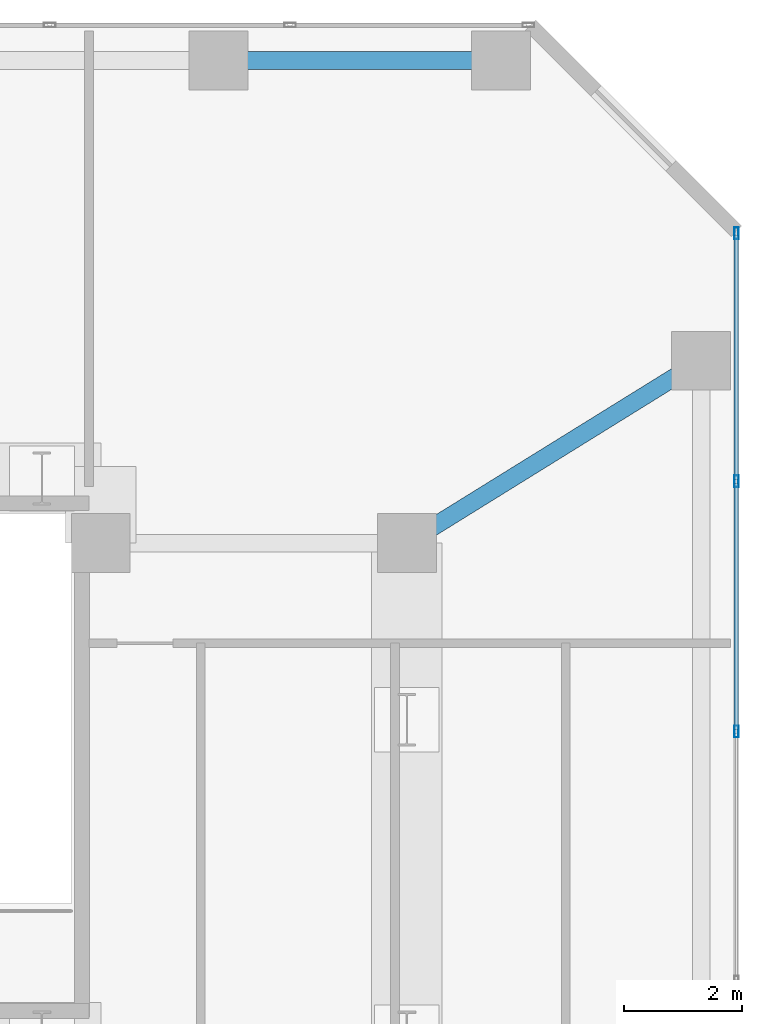
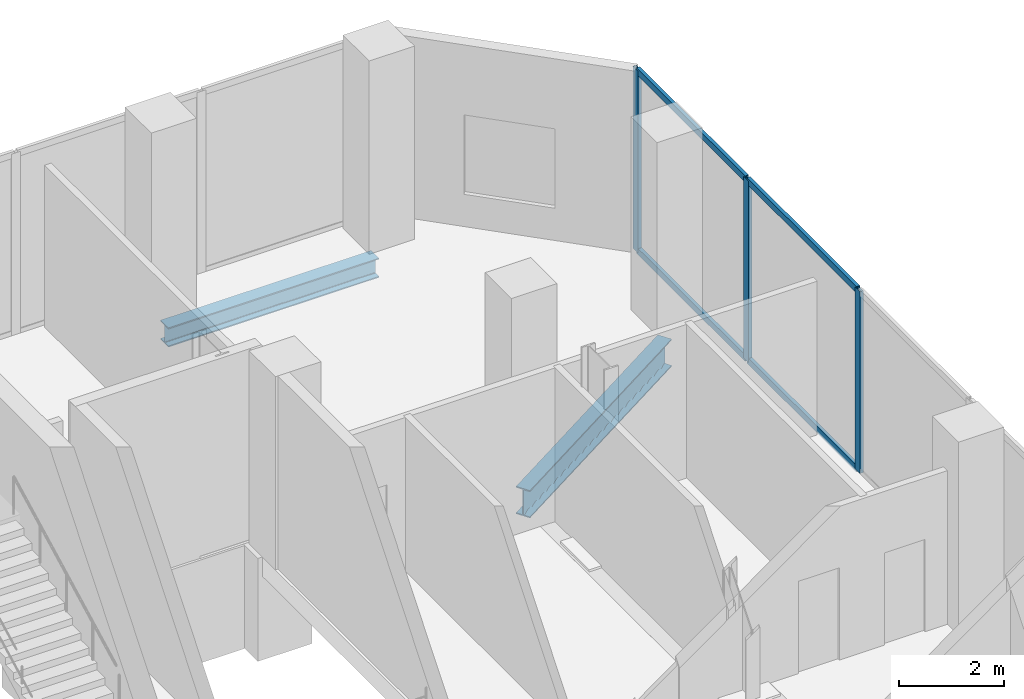
# One storey, part 18 of 24: 7 members, 2 beams, 1 element without a shape of its own.
"""IFC4 building model written with IfcOpenShell, lengths in metres."""

from ifc_helpers import new_model, si_unit, direction, frame, origin, origin_2d, place, context, subcontext, project, spatial, hollow_rectangle, i_section, extrude, material, layer, layer_set, material_profile, profile_set, type_object, element, aggregate, save


model = new_model("IFC4")

# Units and contexts
model_context = context("Model", 3, precision=1e-05, world=origin(), true_north=direction((0.0, 1.0)))
body_context = subcontext(model_context, "Body", "Model", "MODEL_VIEW")
ifc_project = project(units=[si_unit("LENGTHUNIT", "METRE"), si_unit("AREAUNIT", "SQUARE_METRE"), si_unit("VOLUMEUNIT", "CUBIC_METRE"), si_unit("PLANEANGLEUNIT", "RADIAN"), si_unit("MASSUNIT", "GRAM", prefix="KILO")], contexts=[model_context])

# Site, building, storey
site_placement = place(None, origin())
site = spatial("IfcSite", under=ifc_project, at=site_placement, CompositionType="ELEMENT")
building_placement = place(site_placement, origin())
building = spatial("IfcBuilding", under=site, at=building_placement, Name="Catumbela Crestline Tower", CompositionType="ELEMENT")
storey_placement = place(building_placement, frame((0.0, 0.0, 21.3)))
storey = spatial("IfcBuildingStorey", under=building, at=storey_placement, Name="L04", CompositionType="ELEMENT", Elevation=21.3)

# Beam
ifc_material_1 = material(Name="Structural steel S355J2", Category="steel")
ifc_material_profile_1 = material_profile(ifc_material_1, i_section(OverallWidth=0.3, OverallDepth=0.64, WebThickness=0.0135, FlangeThickness=0.026, FilletRadius=0.027, at=origin_2d()), Name="HEA 650")
ifc_profile_set_1 = profile_set([ifc_material_profile_1], Name="Structural steel S355J2")
beam_type_1 = type_object("IfcBeamType", Name="BG-HEA650", PredefinedType="BEAM", material=ifc_profile_set_1)
beam_1_placement = place(storey_placement, frame((50.468, 39.2422, -0.77), z_axis=(0.849908952007, 0.526929571479, 0.0), x_axis=(-0.526929571479, 0.849908952007, 0.0)))
element("IfcBeam", 1, at=beam_1_placement, inside=storey, type_object=beam_type_1, Name="L04 Beam BM-L04-N17", PredefinedType="BEAM", context=body_context, shape_type="SweptSolid", body=[
    extrude(i_section(OverallWidth=0.3, OverallDepth=0.64, WebThickness=0.0135, FlangeThickness=0.026, FilletRadius=0.027, at=origin_2d()), origin(), (0.0, 0.0, 1.0), 5.723),
])

# Curtain wall, members
ifc_material_2 = material(Name="Aluminium alloy AW-6060-T66", Category="aluminium")
ifc_layer = layer(ifc_material_2, 0.18, Name="Aluminium alloy AW-6060-T66")
ifc_layer_set = layer_set([ifc_layer], Name="Aluminium alloy AW-6060-T66")
curtain_wall_type = type_object("IfcCurtainWallType", Name="CWS-POD", PredefinedType="USERDEFINED", material=ifc_layer_set)
curtain_wall_placement = place(storey_placement, origin())
curtain_wall = element("IfcCurtainWall", 2, at=curtain_wall_placement, inside=storey, type_object=curtain_wall_type, Name="L04 Stick Curtain Wall CW-L04-E5S1", ObjectType="STICK", PredefinedType="USERDEFINED")
ifc_material_profile_2 = material_profile(ifc_material_2, hollow_rectangle(XDim=0.075, YDim=0.2, WallThickness=0.005, at=origin_2d()), Name="ALU 200x75x5")
ifc_profile_set_2 = profile_set([ifc_material_profile_2], Name="Aluminium alloy AW-6060-T66")
member_type_1 = type_object("IfcMemberType", Name="MUL-200X75", PredefinedType="MULLION", material=ifc_profile_set_2)
member_1_placement = place(storey_placement, frame((56.0, 36.0, 0.0), z_axis=(0.0, 0.0, 1.0), x_axis=(-1.0, 0.0, 0.0)))
member_1 = element("IfcMember", 3, at=member_1_placement, type_object=member_type_1, Name="CWS-POD mullion 3", PredefinedType="MULLION", context=body_context, shape_type="SweptSolid", body=[
    extrude(hollow_rectangle(XDim=0.075, YDim=0.2, WallThickness=0.005, at=origin_2d()), origin(), (0.0, 0.0, 1.0), 4.23),
])
member_2_placement = place(storey_placement, frame((56.0, 40.25, 0.0), z_axis=(0.0, 0.0, 1.0), x_axis=(-1.0, 0.0, 0.0)))
member_2 = element("IfcMember", 4, at=member_2_placement, type_object=member_type_1, Name="CWS-POD mullion 4", PredefinedType="MULLION", context=body_context, shape_type="SweptSolid", body=[
    extrude(hollow_rectangle(XDim=0.075, YDim=0.2, WallThickness=0.005, at=origin_2d()), origin(), (0.0, 0.0, 1.0), 4.23),
])
member_3_placement = place(storey_placement, frame((56.0, 44.4675, 0.0), z_axis=(0.0, 0.0, 1.0), x_axis=(-1.0, 0.0, 0.0)))
member_3 = element("IfcMember", 5, at=member_3_placement, type_object=member_type_1, Name="CWS-POD mullion 5", PredefinedType="MULLION", context=body_context, shape_type="SweptSolid", body=[
    extrude(hollow_rectangle(XDim=0.075, YDim=0.2, WallThickness=0.005, at=origin_2d()), origin(), (0.0, 0.0, 1.0), 4.23),
])

# Beam
ifc_material_profile_3 = material_profile(ifc_material_1, i_section(OverallWidth=0.3, OverallDepth=0.45, WebThickness=0.014, FlangeThickness=0.026, FilletRadius=0.027, at=origin_2d()), Name="HEB 450")
ifc_profile_set_3 = profile_set([ifc_material_profile_3], Name="Structural steel S355J2")
beam_type_2 = type_object("IfcBeamType", Name="BS-HEB450", PredefinedType="SPANDREL", material=ifc_profile_set_3)
beam_2_placement = place(storey_placement, frame((47.28, 47.4, -0.675), z_axis=(1.0, 0.0, 0.0), x_axis=(0.0, 1.0, 0.0)))
element("IfcBeam", 6, at=beam_2_placement, inside=storey, type_object=beam_type_2, Name="L04 Spandrel SP-L04-NF23", PredefinedType="SPANDREL", context=body_context, shape_type="SweptSolid", body=[
    extrude(i_section(OverallWidth=0.3, OverallDepth=0.45, WebThickness=0.014, FlangeThickness=0.026, FilletRadius=0.027, at=origin_2d()), origin(), (0.0, 0.0, 1.0), 4.64),
])

# Member
ifc_material_profile_4 = material_profile(ifc_material_2, hollow_rectangle(XDim=0.075, YDim=0.15, WallThickness=0.0045, at=origin_2d()), Name="ALU 150x75x4.5")
ifc_profile_set_4 = profile_set([ifc_material_profile_4], Name="Aluminium alloy AW-6060-T66")
member_type_2 = type_object("IfcMemberType", Name="TRN-150X75", PredefinedType="USERDEFINED", material=ifc_profile_set_4)
member_4_placement = place(storey_placement, frame((56.0, 36.0325, 0.03), z_axis=(0.0, 1.0, 0.0), x_axis=(-1.0, 0.0, 0.0)))
member_4 = element("IfcMember", 7, at=member_4_placement, type_object=member_type_2, Name="CWS-POD transom 3.1", ObjectType="TRANSOM", PredefinedType="USERDEFINED", context=body_context, shape_type="SweptSolid", body=[
    extrude(hollow_rectangle(XDim=0.075, YDim=0.15, WallThickness=0.0045, at=origin_2d()), origin(), (0.0, 0.0, 1.0), 4.185),
])

member_5_placement = place(storey_placement, frame((56.0, 36.0325, 4.2), z_axis=(0.0, 1.0, 0.0), x_axis=(-1.0, 0.0, 0.0)))
member_5 = element("IfcMember", 8, at=member_5_placement, type_object=member_type_2, Name="CWS-POD transom 3.2", ObjectType="TRANSOM", PredefinedType="USERDEFINED", context=body_context, shape_type="SweptSolid", body=[
    extrude(hollow_rectangle(XDim=0.075, YDim=0.15, WallThickness=0.0045, at=origin_2d()), origin(), (0.0, 0.0, 1.0), 4.185),
])

member_6_placement = place(storey_placement, frame((56.0, 40.2825, 0.03), z_axis=(0.0, 1.0, 0.0), x_axis=(-1.0, 0.0, 0.0)))
member_6 = element("IfcMember", 9, at=member_6_placement, type_object=member_type_2, Name="CWS-POD transom 4.1", ObjectType="TRANSOM", PredefinedType="USERDEFINED", context=body_context, shape_type="SweptSolid", body=[
    extrude(hollow_rectangle(XDim=0.075, YDim=0.15, WallThickness=0.0045, at=origin_2d()), origin(), (0.0, 0.0, 1.0), 4.1525),
])

member_7_placement = place(storey_placement, frame((56.0, 40.2825, 4.2), z_axis=(0.0, 1.0, 0.0), x_axis=(-1.0, 0.0, 0.0)))
member_7 = element("IfcMember", 10, at=member_7_placement, type_object=member_type_2, Name="CWS-POD transom 4.2", ObjectType="TRANSOM", PredefinedType="USERDEFINED", context=body_context, shape_type="SweptSolid", body=[
    extrude(hollow_rectangle(XDim=0.075, YDim=0.15, WallThickness=0.0045, at=origin_2d()), origin(), (0.0, 0.0, 1.0), 4.1525),
])

aggregate(curtain_wall, [member_1, member_2, member_3, member_4, member_5, member_6, member_7])

save(model, "model.ifc")
